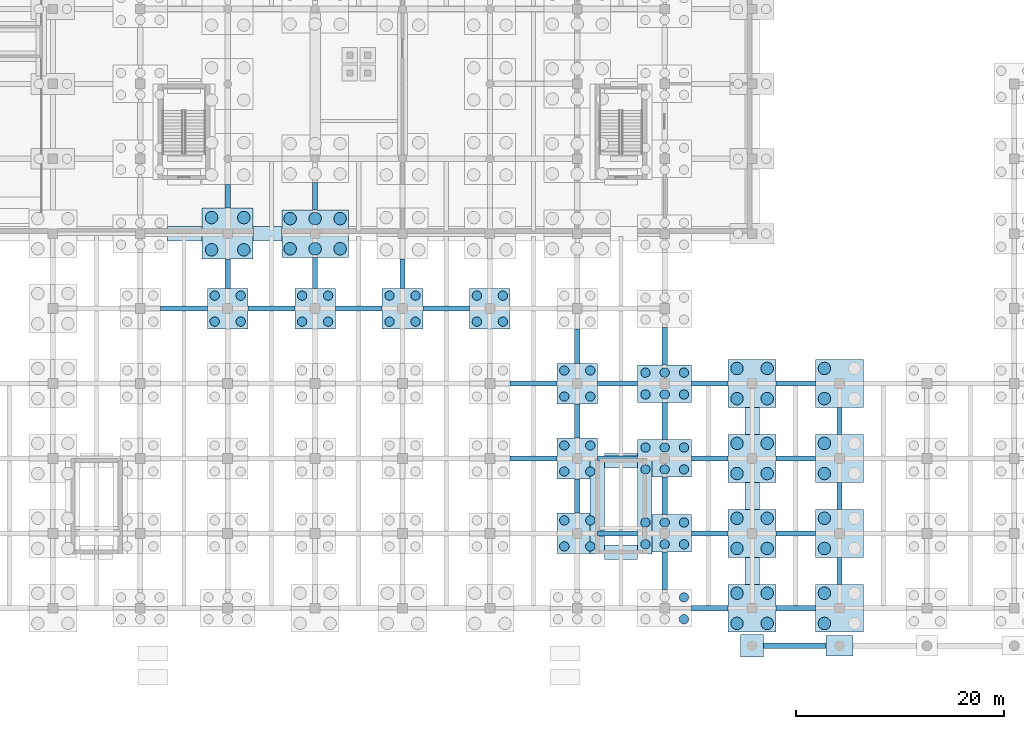
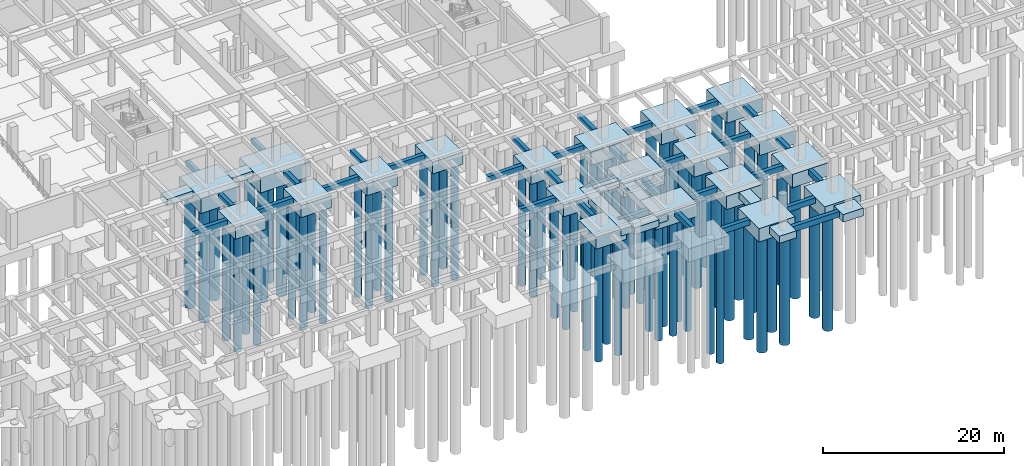
# One storey, part 4 of 26: 82 piles, 64 footings.
"""IFC4 building model written with IfcOpenShell, lengths in metres."""

from ifc_helpers import new_model, si_unit, direction, frame, origin, origin_2d, place, context, subcontext, project, spatial, rectangle, circle, extrude, material, material_profile, profile_set, type_object, element, save


model = new_model("IFC4")

# Units and contexts
model_context = context("Model", 3, precision=1e-05, world=origin(), true_north=direction((0.0, 1.0)))
body_context = subcontext(model_context, "Body", "Model", "MODEL_VIEW")
ifc_project = project(units=[si_unit("LENGTHUNIT", "METRE"), si_unit("AREAUNIT", "SQUARE_METRE"), si_unit("VOLUMEUNIT", "CUBIC_METRE"), si_unit("PLANEANGLEUNIT", "RADIAN"), si_unit("MASSUNIT", "GRAM", prefix="KILO")], contexts=[model_context])

# Site, building, storey
site_placement = place(None, origin())
site = spatial("IfcSite", under=ifc_project, at=site_placement, CompositionType="ELEMENT")
building_placement = place(site_placement, origin())
building = spatial("IfcBuilding", under=site, at=building_placement, Name="Kenerak Square Central Library", CompositionType="ELEMENT")
storey_placement = place(building_placement, frame((0.0, 0.0, -4.800048828125)))
storey = spatial("IfcBuildingStorey", under=building, at=storey_placement, Name="B1", CompositionType="ELEMENT", Elevation=-4.800048828125)

# Piles
ifc_material = material(Name="Concrete C40/50", Category="concrete")
ifc_material_profile_1 = material_profile(ifc_material, circle(Radius=0.60009765625, at=origin_2d()), Name="BP D1200")
ifc_profile_set_1 = profile_set([ifc_material_profile_1], Name="Concrete C40/50")
pile_type_1 = type_object("IfcPileType", Name="Bored Pile D1200 C40/50", PredefinedType="BORED", material=ifc_profile_set_1)
for number, where, z_axis, x_axis, name in (
    (1, (73.64990234375, 51.25, -1.89990234375), (0.0, 0.0, -1.0), (1.0, 0.0, 0.0), "Bored Pile BP-1200 0299"),
    (2, (76.75, 51.25, -1.89990234375), (0.0, 0.0, -1.0), (1.0, 0.0, 0.0), "Bored Pile BP-1200 0300"),
    (3, (73.64990234375, 54.35009765625, -1.89990234375), (0.0, 0.0, -1.0), (1.0, 0.0, 0.0), "Bored Pile BP-1200 0301"),
    (4, (76.75, 54.35009765625, -1.89990234375), (0.0, 0.0, -1.0), (1.0, 0.0, 0.0), "Bored Pile BP-1200 0302"),
    (5, (81.199951171875, 51.35009765625, -1.89990234375), (0.0, 0.0, -1.0), (1.0, 0.0, 0.0), "Bored Pile BP-1200 0361"),
    (6, (83.60009765625, 51.35009765625, -1.89990234375), (0.0, 0.0, -1.0), (1.0, 0.0, 0.0), "Bored Pile BP-1200 0362"),
    (7, (86.0, 51.35009765625, -1.89990234375), (0.0, 0.0, -1.0), (1.0, 0.0, 0.0), "Bored Pile BP-1200 0363"),
    (8, (81.199951171875, 54.25, -1.89990234375), (0.0, 0.0, -1.0), (1.0, 0.0, 0.0), "Bored Pile BP-1200 0364"),
    (9, (83.60009765625, 54.25, -1.89990234375), (0.0, 0.0, -1.0), (1.0, 0.0, 0.0), "Bored Pile BP-1200 0365"),
    (10, (86.0, 54.25, -1.89990234375), (0.0, 0.0, -1.0), (1.0, 0.0, 0.0), "Bored Pile BP-1200 0366"),
):
    element("IfcPile", number, at=place(storey_placement, frame(where, z_axis=z_axis, x_axis=x_axis)), inside=storey, type_object=pile_type_1, Name=name, PredefinedType="BORED", context=body_context, shape_type="SweptSolid", body=[
        extrude(circle(Radius=0.60009765625, at=origin_2d()), origin(), (0.0, 0.0, 1.0), 15.300048828125),
    ])
for number, where, z_axis, x_axis, name in (
    (11, (124.14990234375, 15.35009765625, -1.699951171875), (0.0, 0.0, -1.0), (1.0, 0.0, 0.0), "Bored Pile BP-1200 0687"),
    (12, (127.050048828125, 15.35009765625, -1.699951171875), (0.0, 0.0, -1.0), (1.0, 0.0, 0.0), "Bored Pile BP-1200 0688"),
    (13, (124.14990234375, 18.25, -1.699951171875), (0.0, 0.0, -1.0), (1.0, 0.0, 0.0), "Bored Pile BP-1200 0689"),
    (14, (127.050048828125, 18.25, -1.699951171875), (0.0, 0.0, -1.0), (1.0, 0.0, 0.0), "Bored Pile BP-1200 0690"),
    (15, (124.14990234375, 22.550048828125, -1.699951171875), (0.0, 0.0, -1.0), (1.0, 0.0, 0.0), "Bored Pile BP-1200 0691"),
    (16, (127.050048828125, 22.550048828125, -1.699951171875), (0.0, 0.0, -1.0), (1.0, 0.0, 0.0), "Bored Pile BP-1200 0692"),
    (17, (124.14990234375, 25.449951171875, -1.699951171875), (0.0, 0.0, -1.0), (1.0, 0.0, 0.0), "Bored Pile BP-1200 0693"),
    (18, (127.050048828125, 25.449951171875, -1.699951171875), (0.0, 0.0, -1.0), (1.0, 0.0, 0.0), "Bored Pile BP-1200 0694"),
    (19, (124.14990234375, 29.75, -1.699951171875), (0.0, 0.0, -1.0), (1.0, 0.0, 0.0), "Bored Pile BP-1200 0695"),
    (20, (127.050048828125, 29.75, -1.699951171875), (0.0, 0.0, -1.0), (1.0, 0.0, 0.0), "Bored Pile BP-1200 0696"),
    (21, (124.14990234375, 32.64990234375, -1.699951171875), (0.0, 0.0, -1.0), (1.0, 0.0, 0.0), "Bored Pile BP-1200 0697"),
    (22, (127.050048828125, 32.64990234375, -1.699951171875), (0.0, 0.0, -1.0), (1.0, 0.0, 0.0), "Bored Pile BP-1200 0698"),
    (23, (124.14990234375, 36.949951171875, -1.699951171875), (0.0, 0.0, -1.0), (1.0, 0.0, 0.0), "Bored Pile BP-1200 0699"),
    (24, (127.050048828125, 36.949951171875, -1.699951171875), (0.0, 0.0, -1.0), (1.0, 0.0, 0.0), "Bored Pile BP-1200 0700"),
    (25, (124.14990234375, 39.85009765625, -1.699951171875), (0.0, 0.0, -1.0), (1.0, 0.0, 0.0), "Bored Pile BP-1200 0701"),
    (26, (127.050048828125, 39.85009765625, -1.699951171875), (0.0, 0.0, -1.0), (1.0, 0.0, 0.0), "Bored Pile BP-1200 0702"),
    (27, (132.550048828125, 15.35009765625, -1.699951171875), (0.0, 0.0, -1.0), (1.0, 0.0, 0.0), "Bored Pile BP-1200 0729"),
    (28, (132.550048828125, 18.25, -1.699951171875), (0.0, 0.0, -1.0), (1.0, 0.0, 0.0), "Bored Pile BP-1200 0731"),
    (29, (132.550048828125, 22.550048828125, -1.699951171875), (0.0, 0.0, -1.0), (1.0, 0.0, 0.0), "Bored Pile BP-1200 0733"),
    (30, (132.550048828125, 25.449951171875, -1.699951171875), (0.0, 0.0, -1.0), (1.0, 0.0, 0.0), "Bored Pile BP-1200 0735"),
    (31, (132.550048828125, 29.75, -1.699951171875), (0.0, 0.0, -1.0), (1.0, 0.0, 0.0), "Bored Pile BP-1200 0737"),
    (32, (132.550048828125, 32.64990234375, -1.699951171875), (0.0, 0.0, -1.0), (1.0, 0.0, 0.0), "Bored Pile BP-1200 0739"),
    (33, (132.550048828125, 36.949951171875, -1.699951171875), (0.0, 0.0, -1.0), (1.0, 0.0, 0.0), "Bored Pile BP-1200 0741"),
    (34, (132.550048828125, 39.85009765625, -1.699951171875), (0.0, 0.0, -1.0), (1.0, 0.0, 0.0), "Bored Pile BP-1200 0743"),
):
    element("IfcPile", number, at=place(storey_placement, frame(where, z_axis=z_axis, x_axis=x_axis)), inside=storey, type_object=pile_type_1, Name=name, PredefinedType="BORED", context=body_context, shape_type="SweptSolid", body=[
        extrude(circle(Radius=0.60009765625, at=origin_2d()), origin(), (0.0, 0.0, 1.0), 15.5),
    ])
ifc_material_profile_2 = material_profile(ifc_material, circle(Radius=0.449951171875, at=origin_2d()), Name="BP D900")
ifc_profile_set_2 = profile_set([ifc_material_profile_2], Name="Concrete C40/50")
pile_type_2 = type_object("IfcPileType", Name="Bored Pile D900 C40/50", PredefinedType="BORED", material=ifc_profile_set_2)
for number, where, z_axis, x_axis, name in (
    (35, (73.949951171875, 44.35009765625, -1.5), (0.0, 0.0, -1.0), (1.0, 0.0, 0.0), "Bored Pile BP-900 0295"),
    (36, (76.449951171875, 44.35009765625, -1.5), (0.0, 0.0, -1.0), (1.0, 0.0, 0.0), "Bored Pile BP-900 0296"),
    (37, (73.949951171875, 46.85009765625, -1.5), (0.0, 0.0, -1.0), (1.0, 0.0, 0.0), "Bored Pile BP-900 0297"),
    (38, (76.449951171875, 46.85009765625, -1.5), (0.0, 0.0, -1.0), (1.0, 0.0, 0.0), "Bored Pile BP-900 0298"),
    (39, (82.35009765625, 44.35009765625, -1.5), (0.0, 0.0, -1.0), (1.0, 0.0, 0.0), "Bored Pile BP-900 0357"),
    (40, (84.85009765625, 44.35009765625, -1.5), (0.0, 0.0, -1.0), (1.0, 0.0, 0.0), "Bored Pile BP-900 0358"),
    (41, (82.35009765625, 46.85009765625, -1.5), (0.0, 0.0, -1.0), (1.0, 0.0, 0.0), "Bored Pile BP-900 0359"),
    (42, (84.85009765625, 46.85009765625, -1.5), (0.0, 0.0, -1.0), (1.0, 0.0, 0.0), "Bored Pile BP-900 0360"),
    (43, (90.75, 44.35009765625, -1.5), (0.0, 0.0, -1.0), (1.0, 0.0, 0.0), "Bored Pile BP-900 0429"),
    (44, (93.25, 44.35009765625, -1.5), (0.0, 0.0, -1.0), (1.0, 0.0, 0.0), "Bored Pile BP-900 0430"),
    (45, (90.75, 46.85009765625, -1.5), (0.0, 0.0, -1.0), (1.0, 0.0, 0.0), "Bored Pile BP-900 0431"),
    (46, (93.25, 46.85009765625, -1.5), (0.0, 0.0, -1.0), (1.0, 0.0, 0.0), "Bored Pile BP-900 0432"),
    (47, (99.14990234375, 44.35009765625, -1.5), (0.0, 0.0, -1.0), (1.0, 0.0, 0.0), "Bored Pile BP-900 0485"),
    (48, (101.64990234375, 44.35009765625, -1.5), (0.0, 0.0, -1.0), (1.0, 0.0, 0.0), "Bored Pile BP-900 0486"),
    (49, (99.14990234375, 46.85009765625, -1.5), (0.0, 0.0, -1.0), (1.0, 0.0, 0.0), "Bored Pile BP-900 0487"),
    (50, (101.64990234375, 46.85009765625, -1.5), (0.0, 0.0, -1.0), (1.0, 0.0, 0.0), "Bored Pile BP-900 0488"),
    (51, (107.550048828125, 22.75, -1.5), (0.0, 0.0, -1.0), (1.0, 0.0, 0.0), "Bored Pile BP-900 0535"),
    (52, (110.050048828125, 22.75, -1.5), (0.0, 0.0, -1.0), (1.0, 0.0, 0.0), "Bored Pile BP-900 0536"),
    (53, (107.550048828125, 25.25, -1.5), (0.0, 0.0, -1.0), (1.0, 0.0, 0.0), "Bored Pile BP-900 0537"),
    (54, (110.050048828125, 25.25, -1.5), (0.0, 0.0, -1.0), (1.0, 0.0, 0.0), "Bored Pile BP-900 0538"),
    (55, (107.550048828125, 29.949951171875, -1.5), (0.0, 0.0, -1.0), (1.0, 0.0, 0.0), "Bored Pile BP-900 0539"),
    (56, (110.050048828125, 29.949951171875, -1.5), (0.0, 0.0, -1.0), (1.0, 0.0, 0.0), "Bored Pile BP-900 0540"),
    (57, (107.550048828125, 32.449951171875, -1.5), (0.0, 0.0, -1.0), (1.0, 0.0, 0.0), "Bored Pile BP-900 0541"),
    (58, (110.050048828125, 32.449951171875, -1.5), (0.0, 0.0, -1.0), (1.0, 0.0, 0.0), "Bored Pile BP-900 0542"),
    (59, (107.550048828125, 37.14990234375, -1.5), (0.0, 0.0, -1.0), (1.0, 0.0, 0.0), "Bored Pile BP-900 0543"),
    (60, (110.050048828125, 37.14990234375, -1.5), (0.0, 0.0, -1.0), (1.0, 0.0, 0.0), "Bored Pile BP-900 0544"),
    (61, (107.550048828125, 39.64990234375, -1.5), (0.0, 0.0, -1.0), (1.0, 0.0, 0.0), "Bored Pile BP-900 0545"),
    (62, (110.050048828125, 39.64990234375, -1.5), (0.0, 0.0, -1.0), (1.0, 0.0, 0.0), "Bored Pile BP-900 0546"),
):
    element("IfcPile", number, at=place(storey_placement, frame(where, z_axis=z_axis, x_axis=x_axis)), inside=storey, type_object=pile_type_2, Name=name, PredefinedType="BORED", context=body_context, shape_type="SweptSolid", body=[
        extrude(circle(Radius=0.449951171875, at=origin_2d()), origin(), (0.0, 0.0, 1.0), 15.699951171875),
    ])
for number, where, z_axis, x_axis, name in (
    (63, (119.050048828125, 15.75, -1.699951171875), (0.0, 0.0, -1.0), (1.0, 0.0, 0.0), "Bored Pile BP-900 0613"),
    (64, (119.050048828125, 17.85009765625, -1.699951171875), (0.0, 0.0, -1.0), (1.0, 0.0, 0.0), "Bored Pile BP-900 0616"),
    (65, (115.35009765625, 22.949951171875, -1.699951171875), (0.0, 0.0, -1.0), (1.0, 0.0, 0.0), "Bored Pile BP-900 0617"),
    (66, (117.199951171875, 22.949951171875, -1.699951171875), (0.0, 0.0, -1.0), (1.0, 0.0, 0.0), "Bored Pile BP-900 0618"),
    (67, (119.050048828125, 22.949951171875, -1.699951171875), (0.0, 0.0, -1.0), (1.0, 0.0, 0.0), "Bored Pile BP-900 0619"),
    (68, (115.35009765625, 25.050048828125, -1.699951171875), (0.0, 0.0, -1.0), (1.0, 0.0, 0.0), "Bored Pile BP-900 0620"),
    (69, (117.199951171875, 25.050048828125, -1.699951171875), (0.0, 0.0, -1.0), (1.0, 0.0, 0.0), "Bored Pile BP-900 0621"),
    (70, (119.050048828125, 25.050048828125, -1.699951171875), (0.0, 0.0, -1.0), (1.0, 0.0, 0.0), "Bored Pile BP-900 0622"),
    (71, (115.35009765625, 30.14990234375, -1.699951171875), (0.0, 0.0, -1.0), (1.0, 0.0, 0.0), "Bored Pile BP-900 0623"),
    (72, (117.199951171875, 30.14990234375, -1.699951171875), (0.0, 0.0, -1.0), (1.0, 0.0, 0.0), "Bored Pile BP-900 0624"),
    (73, (119.050048828125, 30.14990234375, -1.699951171875), (0.0, 0.0, -1.0), (1.0, 0.0, 0.0), "Bored Pile BP-900 0625"),
    (74, (115.35009765625, 32.25, -1.699951171875), (0.0, 0.0, -1.0), (1.0, 0.0, 0.0), "Bored Pile BP-900 0626"),
    (75, (117.199951171875, 32.25, -1.699951171875), (0.0, 0.0, -1.0), (1.0, 0.0, 0.0), "Bored Pile BP-900 0627"),
    (76, (119.050048828125, 32.25, -1.699951171875), (0.0, 0.0, -1.0), (1.0, 0.0, 0.0), "Bored Pile BP-900 0628"),
    (77, (115.35009765625, 37.35009765625, -1.699951171875), (0.0, 0.0, -1.0), (1.0, 0.0, 0.0), "Bored Pile BP-900 0629"),
    (78, (117.199951171875, 37.35009765625, -1.699951171875), (0.0, 0.0, -1.0), (1.0, 0.0, 0.0), "Bored Pile BP-900 0630"),
    (79, (119.050048828125, 37.35009765625, -1.699951171875), (0.0, 0.0, -1.0), (1.0, 0.0, 0.0), "Bored Pile BP-900 0631"),
    (80, (115.35009765625, 39.449951171875, -1.699951171875), (0.0, 0.0, -1.0), (1.0, 0.0, 0.0), "Bored Pile BP-900 0632"),
    (81, (117.199951171875, 39.449951171875, -1.699951171875), (0.0, 0.0, -1.0), (1.0, 0.0, 0.0), "Bored Pile BP-900 0633"),
    (82, (119.050048828125, 39.449951171875, -1.699951171875), (0.0, 0.0, -1.0), (1.0, 0.0, 0.0), "Bored Pile BP-900 0634"),
):
    element("IfcPile", number, at=place(storey_placement, frame(where, z_axis=z_axis, x_axis=x_axis)), inside=storey, type_object=pile_type_2, Name=name, PredefinedType="BORED", context=body_context, shape_type="SweptSolid", body=[
        extrude(circle(Radius=0.449951171875, at=origin_2d()), origin(), (0.0, 0.0, 1.0), 15.5),
    ])

# Footings
footing_type_1 = type_object("IfcFootingType", Name="Colonnade Pad Footing PF-03 2200x2200x950", PredefinedType="PAD_FOOTING", material=ifc_material)
footing_1_placement = place(storey_placement, frame((125.60009765625, 13.199951171875, -0.94970703125), z_axis=(0.0, 0.0, 1.0), x_axis=(1.0, 0.0, 0.0)))
element("IfcFooting", 83, at=footing_1_placement, inside=storey, type_object=footing_type_1, Name="Pad Footing PF-03 007", PredefinedType="PAD_FOOTING", context=body_context, shape_type="SweptSolid", body=[
    extrude(rectangle(XDim=2.199951171875, YDim=2.199951171875, at=origin_2d()), origin(), (0.0, 0.0, 1.0), 0.949951171875),
])
footing_type_2 = type_object("IfcFootingType", Name="Colonnade Pad Footing PF-04 2600x2000x1050", PredefinedType="PAD_FOOTING", material=ifc_material)
footing_2_placement = place(storey_placement, frame((134.0, 13.199951171875, -1.0498046875), z_axis=(0.0, 0.0, 1.0), x_axis=(1.0, 0.0, 0.0)))
element("IfcFooting", 84, at=footing_2_placement, inside=storey, type_object=footing_type_2, Name="Pad Footing PF-04 008", PredefinedType="PAD_FOOTING", context=body_context, shape_type="SweptSolid", body=[
    extrude(rectangle(XDim=2.60009765625, YDim=2.0, at=origin_2d()), origin(), (0.0, 0.0, 1.0), 1.050048828125),
])
footing_type_3 = type_object("IfcFootingType", Name="Ground Tie Beam GB-01 500x750", PredefinedType="FOOTING_BEAM", material=ifc_material)
for number, where, z_axis, x_axis, name in (
    (85, (71.0, 45.60009765625, -0.75), (0.0, 0.0, 1.0), (1.0, 0.0, 0.0), "Ground Tie Beam 087"),
    (86, (79.39990234375, 45.60009765625, -0.75), (0.0, 0.0, 1.0), (1.0, 0.0, 0.0), "Ground Tie Beam 113"),
):
    element("IfcFooting", number, at=place(storey_placement, frame(where, z_axis=z_axis, x_axis=x_axis)), inside=storey, type_object=footing_type_3, Name=name, PredefinedType="FOOTING_BEAM", context=body_context, shape_type="SweptSolid", body=[
        extrude(rectangle(XDim=4.5, YDim=0.5, at=origin_2d()), origin(), (0.0, 0.0, 1.0), 0.75),
    ])
footing_3_placement = place(storey_placement, frame((75.199951171875, 48.949951171875, -0.75), z_axis=(0.0, 0.0, 1.0), x_axis=(1.0, 0.0, 0.0)))
element("IfcFooting", 87, at=footing_3_placement, inside=storey, type_object=footing_type_3, Name="Ground Tie Beam 114", PredefinedType="FOOTING_BEAM", context=body_context, shape_type="SweptSolid", body=[
    extrude(rectangle(XDim=0.5, YDim=2.800048828125, at=origin_2d()), origin(), (0.0, 0.0, 1.0), 0.75),
])
footing_4_placement = place(storey_placement, frame((75.199951171875, 56.39990234375, -0.75), z_axis=(0.0, 0.0, 1.0), x_axis=(1.0, 0.0, 0.0)))
element("IfcFooting", 88, at=footing_4_placement, inside=storey, type_object=footing_type_3, Name="Ground Tie Beam 115", PredefinedType="FOOTING_BEAM", context=body_context, shape_type="SweptSolid", body=[
    extrude(rectangle(XDim=0.5, YDim=2.300048828125, at=origin_2d()), origin(), (0.0, 0.0, 1.0), 0.75),
])
footing_5_placement = place(storey_placement, frame((87.800048828125, 45.60009765625, -0.75), z_axis=(0.0, 0.0, 1.0), x_axis=(1.0, 0.0, 0.0)))
element("IfcFooting", 89, at=footing_5_placement, inside=storey, type_object=footing_type_3, Name="Ground Tie Beam 138", PredefinedType="FOOTING_BEAM", context=body_context, shape_type="SweptSolid", body=[
    extrude(rectangle(XDim=4.5, YDim=0.5, at=origin_2d()), origin(), (0.0, 0.0, 1.0), 0.75),
])
footing_6_placement = place(storey_placement, frame((83.60009765625, 49.02490234375, -0.75), z_axis=(0.0, 0.0, 1.0), x_axis=(1.0, 0.0, 0.0)))
element("IfcFooting", 90, at=footing_6_placement, inside=storey, type_object=footing_type_3, Name="Ground Tie Beam 139", PredefinedType="FOOTING_BEAM", context=body_context, shape_type="SweptSolid", body=[
    extrude(rectangle(XDim=0.5, YDim=2.949951171875, at=origin_2d()), origin(), (0.0, 0.0, 1.0), 0.75),
])
footing_7_placement = place(storey_placement, frame((83.60009765625, 56.39990234375, -0.75), z_axis=(0.0, 0.0, 1.0), x_axis=(1.0, 0.0, 0.0)))
element("IfcFooting", 91, at=footing_7_placement, inside=storey, type_object=footing_type_3, Name="Ground Tie Beam 140", PredefinedType="FOOTING_BEAM", context=body_context, shape_type="SweptSolid", body=[
    extrude(rectangle(XDim=0.5, YDim=2.60009765625, at=origin_2d()), origin(), (0.0, 0.0, 1.0), 0.75),
])
footing_8_placement = place(storey_placement, frame((96.199951171875, 45.60009765625, -0.75), z_axis=(0.0, 0.0, 1.0), x_axis=(1.0, 0.0, 0.0)))
element("IfcFooting", 92, at=footing_8_placement, inside=storey, type_object=footing_type_3, Name="Ground Tie Beam 161", PredefinedType="FOOTING_BEAM", context=body_context, shape_type="SweptSolid", body=[
    extrude(rectangle(XDim=4.5, YDim=0.5, at=origin_2d()), origin(), (0.0, 0.0, 1.0), 0.75),
])
footing_9_placement = place(storey_placement, frame((92.0, 48.949951171875, -0.75), z_axis=(0.0, 0.0, 1.0), x_axis=(1.0, 0.0, 0.0)))
element("IfcFooting", 93, at=footing_9_placement, inside=storey, type_object=footing_type_3, Name="Ground Tie Beam 162", PredefinedType="FOOTING_BEAM", context=body_context, shape_type="SweptSolid", body=[
    extrude(rectangle(XDim=0.5, YDim=2.800048828125, at=origin_2d()), origin(), (0.0, 0.0, 1.0), 0.75),
])
for number, where, z_axis, x_axis, name in (
    (94, (104.60009765625, 31.199951171875, -0.75), (0.0, 0.0, 1.0), (1.0, 0.0, 0.0), "Ground Tie Beam 180"),
    (95, (104.60009765625, 38.39990234375, -0.75), (0.0, 0.0, 1.0), (1.0, 0.0, 0.0), "Ground Tie Beam 182"),
):
    element("IfcFooting", number, at=place(storey_placement, frame(where, z_axis=z_axis, x_axis=x_axis)), inside=storey, type_object=footing_type_3, Name=name, PredefinedType="FOOTING_BEAM", context=body_context, shape_type="SweptSolid", body=[
        extrude(rectangle(XDim=4.5, YDim=0.5, at=origin_2d()), origin(), (0.0, 0.0, 1.0), 0.75),
    ])
footing_10_placement = place(storey_placement, frame((112.675048828125, 24.0, -0.75), z_axis=(0.0, 0.0, 1.0), x_axis=(1.0, 0.0, 0.0)))
element("IfcFooting", 96, at=footing_10_placement, inside=storey, type_object=footing_type_3, Name="Ground Tie Beam 204", PredefinedType="FOOTING_BEAM", context=body_context, shape_type="SweptSolid", body=[
    extrude(rectangle(XDim=3.85009765625, YDim=0.5, at=origin_2d()), origin(), (0.0, 0.0, 1.0), 0.75),
])
footing_11_placement = place(storey_placement, frame((108.800048828125, 27.60009765625, -0.75), z_axis=(0.0, 0.0, 1.0), x_axis=(1.0, 0.0, 0.0)))
element("IfcFooting", 97, at=footing_11_placement, inside=storey, type_object=footing_type_3, Name="Ground Tie Beam 205", PredefinedType="FOOTING_BEAM", context=body_context, shape_type="SweptSolid", body=[
    extrude(rectangle(XDim=0.5, YDim=3.300048828125, at=origin_2d()), origin(), (0.0, 0.0, 1.0), 0.75),
])
footing_12_placement = place(storey_placement, frame((112.675048828125, 31.199951171875, -0.75), z_axis=(0.0, 0.0, 1.0), x_axis=(1.0, 0.0, 0.0)))
element("IfcFooting", 98, at=footing_12_placement, inside=storey, type_object=footing_type_3, Name="Ground Tie Beam 206", PredefinedType="FOOTING_BEAM", context=body_context, shape_type="SweptSolid", body=[
    extrude(rectangle(XDim=3.85009765625, YDim=0.5, at=origin_2d()), origin(), (0.0, 0.0, 1.0), 0.75),
])
footing_13_placement = place(storey_placement, frame((108.800048828125, 34.800048828125, -0.75), z_axis=(0.0, 0.0, 1.0), x_axis=(1.0, 0.0, 0.0)))
element("IfcFooting", 99, at=footing_13_placement, inside=storey, type_object=footing_type_3, Name="Ground Tie Beam 207", PredefinedType="FOOTING_BEAM", context=body_context, shape_type="SweptSolid", body=[
    extrude(rectangle(XDim=0.5, YDim=3.300048828125, at=origin_2d()), origin(), (0.0, 0.0, 1.0), 0.75),
])
footing_14_placement = place(storey_placement, frame((112.675048828125, 38.39990234375, -0.75), z_axis=(0.0, 0.0, 1.0), x_axis=(1.0, 0.0, 0.0)))
element("IfcFooting", 100, at=footing_14_placement, inside=storey, type_object=footing_type_3, Name="Ground Tie Beam 208", PredefinedType="FOOTING_BEAM", context=body_context, shape_type="SweptSolid", body=[
    extrude(rectangle(XDim=3.85009765625, YDim=0.5, at=origin_2d()), origin(), (0.0, 0.0, 1.0), 0.75),
])
footing_15_placement = place(storey_placement, frame((108.800048828125, 42.0, -0.75), z_axis=(0.0, 0.0, 1.0), x_axis=(1.0, 0.0, 0.0)))
element("IfcFooting", 101, at=footing_15_placement, inside=storey, type_object=footing_type_3, Name="Ground Tie Beam 209", PredefinedType="FOOTING_BEAM", context=body_context, shape_type="SweptSolid", body=[
    extrude(rectangle(XDim=0.5, YDim=3.300048828125, at=origin_2d()), origin(), (0.0, 0.0, 1.0), 0.75),
])
footing_16_placement = place(storey_placement, frame((121.550048828125, 16.800048828125, -0.75), z_axis=(0.0, 0.0, 1.0), x_axis=(1.0, 0.0, 0.0)))
element("IfcFooting", 102, at=footing_16_placement, inside=storey, type_object=footing_type_3, Name="Ground Tie Beam 227", PredefinedType="FOOTING_BEAM", context=body_context, shape_type="SweptSolid", body=[
    extrude(rectangle(XDim=3.5, YDim=0.5, at=origin_2d()), origin(), (0.0, 0.0, 1.0), 0.75),
])
footing_17_placement = place(storey_placement, frame((117.199951171875, 20.39990234375, -0.75), z_axis=(0.0, 0.0, 1.0), x_axis=(1.0, 0.0, 0.0)))
element("IfcFooting", 103, at=footing_17_placement, inside=storey, type_object=footing_type_3, Name="Ground Tie Beam 228", PredefinedType="FOOTING_BEAM", context=body_context, shape_type="SweptSolid", body=[
    extrude(rectangle(XDim=0.5, YDim=3.60009765625, at=origin_2d()), origin(), (0.0, 0.0, 1.0), 0.75),
])
footing_18_placement = place(storey_placement, frame((121.550048828125, 24.0, -0.75), z_axis=(0.0, 0.0, 1.0), x_axis=(1.0, 0.0, 0.0)))
element("IfcFooting", 104, at=footing_18_placement, inside=storey, type_object=footing_type_3, Name="Ground Tie Beam 229", PredefinedType="FOOTING_BEAM", context=body_context, shape_type="SweptSolid", body=[
    extrude(rectangle(XDim=3.5, YDim=0.5, at=origin_2d()), origin(), (0.0, 0.0, 1.0), 0.75),
])
footing_19_placement = place(storey_placement, frame((117.199951171875, 27.60009765625, -0.75), z_axis=(0.0, 0.0, 1.0), x_axis=(1.0, 0.0, 0.0)))
element("IfcFooting", 105, at=footing_19_placement, inside=storey, type_object=footing_type_3, Name="Ground Tie Beam 230", PredefinedType="FOOTING_BEAM", context=body_context, shape_type="SweptSolid", body=[
    extrude(rectangle(XDim=0.5, YDim=3.60009765625, at=origin_2d()), origin(), (0.0, 0.0, 1.0), 0.75),
])
footing_20_placement = place(storey_placement, frame((121.550048828125, 31.199951171875, -0.75), z_axis=(0.0, 0.0, 1.0), x_axis=(1.0, 0.0, 0.0)))
element("IfcFooting", 106, at=footing_20_placement, inside=storey, type_object=footing_type_3, Name="Ground Tie Beam 231", PredefinedType="FOOTING_BEAM", context=body_context, shape_type="SweptSolid", body=[
    extrude(rectangle(XDim=3.5, YDim=0.5, at=origin_2d()), origin(), (0.0, 0.0, 1.0), 0.75),
])
footing_21_placement = place(storey_placement, frame((117.199951171875, 34.800048828125, -0.75), z_axis=(0.0, 0.0, 1.0), x_axis=(1.0, 0.0, 0.0)))
element("IfcFooting", 107, at=footing_21_placement, inside=storey, type_object=footing_type_3, Name="Ground Tie Beam 232", PredefinedType="FOOTING_BEAM", context=body_context, shape_type="SweptSolid", body=[
    extrude(rectangle(XDim=0.5, YDim=3.60009765625, at=origin_2d()), origin(), (0.0, 0.0, 1.0), 0.75),
])
footing_22_placement = place(storey_placement, frame((121.550048828125, 38.39990234375, -0.75), z_axis=(0.0, 0.0, 1.0), x_axis=(1.0, 0.0, 0.0)))
element("IfcFooting", 108, at=footing_22_placement, inside=storey, type_object=footing_type_3, Name="Ground Tie Beam 233", PredefinedType="FOOTING_BEAM", context=body_context, shape_type="SweptSolid", body=[
    extrude(rectangle(XDim=3.5, YDim=0.5, at=origin_2d()), origin(), (0.0, 0.0, 1.0), 0.75),
])
footing_23_placement = place(storey_placement, frame((117.199951171875, 42.0, -0.75), z_axis=(0.0, 0.0, 1.0), x_axis=(1.0, 0.0, 0.0)))
element("IfcFooting", 109, at=footing_23_placement, inside=storey, type_object=footing_type_3, Name="Ground Tie Beam 234", PredefinedType="FOOTING_BEAM", context=body_context, shape_type="SweptSolid", body=[
    extrude(rectangle(XDim=0.5, YDim=3.60009765625, at=origin_2d()), origin(), (0.0, 0.0, 1.0), 0.75),
])
footing_24_placement = place(storey_placement, frame((129.699951171875, 13.199951171875, -0.75), z_axis=(0.0, 0.0, 1.0), x_axis=(1.0, 0.0, 0.0)))
element("IfcFooting", 110, at=footing_24_placement, inside=storey, type_object=footing_type_3, Name="Ground Tie Beam 251", PredefinedType="FOOTING_BEAM", context=body_context, shape_type="SweptSolid", body=[
    extrude(rectangle(XDim=6.0, YDim=0.5, at=origin_2d()), origin(), (0.0, 0.0, 1.0), 0.75),
])
for number, where, z_axis, x_axis, name in (
    (111, (129.800048828125, 16.800048828125, -0.75), (0.0, 0.0, 1.0), (1.0, 0.0, 0.0), "Ground Tie Beam 252"),
    (112, (129.800048828125, 24.0, -0.75), (0.0, 0.0, 1.0), (1.0, 0.0, 0.0), "Ground Tie Beam 253"),
    (113, (129.800048828125, 31.199951171875, -0.75), (0.0, 0.0, 1.0), (1.0, 0.0, 0.0), "Ground Tie Beam 254"),
    (114, (129.800048828125, 38.39990234375, -0.75), (0.0, 0.0, 1.0), (1.0, 0.0, 0.0), "Ground Tie Beam 255"),
):
    element("IfcFooting", number, at=place(storey_placement, frame(where, z_axis=z_axis, x_axis=x_axis)), inside=storey, type_object=footing_type_3, Name=name, PredefinedType="FOOTING_BEAM", context=body_context, shape_type="SweptSolid", body=[
        extrude(rectangle(XDim=3.800048828125, YDim=0.5, at=origin_2d()), origin(), (0.0, 0.0, 1.0), 0.75),
    ])
for number, where, z_axis, x_axis, name in (
    (115, (134.0, 20.39990234375, -0.75), (0.0, 0.0, 1.0), (1.0, 0.0, 0.0), "Ground Tie Beam 261"),
    (116, (134.0, 27.60009765625, -0.75), (0.0, 0.0, 1.0), (1.0, 0.0, 0.0), "Ground Tie Beam 263"),
    (117, (134.0, 34.800048828125, -0.75), (0.0, 0.0, 1.0), (1.0, 0.0, 0.0), "Ground Tie Beam 265"),
):
    element("IfcFooting", number, at=place(storey_placement, frame(where, z_axis=z_axis, x_axis=x_axis)), inside=storey, type_object=footing_type_3, Name=name, PredefinedType="FOOTING_BEAM", context=body_context, shape_type="SweptSolid", body=[
        extrude(rectangle(XDim=0.5, YDim=2.60009765625, at=origin_2d()), origin(), (0.0, 0.0, 1.0), 0.75),
    ])
footing_type_4 = type_object("IfcFootingType", Name="Pile Cap PC-03 3900x3900x1600", PredefinedType="PILE_CAP", material=ifc_material)
for number, where, z_axis, x_axis, name in (
    (118, (75.199951171875, 45.60009765625, -1.60009765625), (0.0, 0.0, 1.0), (1.0, 0.0, 0.0), "Pile Cap PC-03 075"),
    (119, (83.60009765625, 45.60009765625, -1.60009765625), (0.0, 0.0, 1.0), (1.0, 0.0, 0.0), "Pile Cap PC-03 090"),
    (120, (92.0, 45.60009765625, -1.60009765625), (0.0, 0.0, 1.0), (1.0, 0.0, 0.0), "Pile Cap PC-03 104"),
    (121, (100.39990234375, 45.60009765625, -1.60009765625), (0.0, 0.0, 1.0), (1.0, 0.0, 0.0), "Pile Cap PC-03 118"),
    (122, (108.800048828125, 24.0, -1.60009765625), (0.0, 0.0, 1.0), (1.0, 0.0, 0.0), "Pile Cap PC-03 130"),
    (123, (108.800048828125, 31.199951171875, -1.60009765625), (0.0, 0.0, 1.0), (1.0, 0.0, 0.0), "Pile Cap PC-03 131"),
    (124, (108.800048828125, 38.39990234375, -1.60009765625), (0.0, 0.0, 1.0), (1.0, 0.0, 0.0), "Pile Cap PC-03 132"),
):
    element("IfcFooting", number, at=place(storey_placement, frame(where, z_axis=z_axis, x_axis=x_axis)), inside=storey, type_object=footing_type_4, Name=name, PredefinedType="PILE_CAP", context=body_context, shape_type="SweptSolid", body=[
        extrude(rectangle(XDim=3.89990234375, YDim=3.89990234375, at=origin_2d()), origin(), (0.0, 0.0, 1.0), 1.60009765625),
    ])
footing_type_5 = type_object("IfcFootingType", Name="Pile Cap PC-04 4600x4600x1800", PredefinedType="PILE_CAP", material=ifc_material)
for number, where, z_axis, x_axis, name in (
    (125, (125.60009765625, 16.800048828125, -1.7998046875), (0.0, 0.0, 1.0), (1.0, 0.0, 0.0), "Pile Cap PC-04 158"),
    (126, (125.60009765625, 24.0, -1.7998046875), (0.0, 0.0, 1.0), (1.0, 0.0, 0.0), "Pile Cap PC-04 159"),
    (127, (125.60009765625, 31.199951171875, -1.7998046875), (0.0, 0.0, 1.0), (1.0, 0.0, 0.0), "Pile Cap PC-04 160"),
    (128, (125.60009765625, 38.39990234375, -1.7998046875), (0.0, 0.0, 1.0), (1.0, 0.0, 0.0), "Pile Cap PC-04 161"),
    (129, (134.0, 16.800048828125, -1.7998046875), (0.0, 0.0, 1.0), (1.0, 0.0, 0.0), "Pile Cap PC-04 171"),
    (130, (134.0, 24.0, -1.7998046875), (0.0, 0.0, 1.0), (1.0, 0.0, 0.0), "Pile Cap PC-04 172"),
    (131, (134.0, 31.199951171875, -1.7998046875), (0.0, 0.0, 1.0), (1.0, 0.0, 0.0), "Pile Cap PC-04 173"),
    (132, (134.0, 38.39990234375, -1.7998046875), (0.0, 0.0, 1.0), (1.0, 0.0, 0.0), "Pile Cap PC-04 174"),
):
    element("IfcFooting", number, at=place(storey_placement, frame(where, z_axis=z_axis, x_axis=x_axis)), inside=storey, type_object=footing_type_5, Name=name, PredefinedType="PILE_CAP", context=body_context, shape_type="SweptSolid", body=[
        extrude(rectangle(XDim=4.60009765625, YDim=4.60009765625, at=origin_2d()), origin(), (0.0, 0.0, 1.0), 1.800048828125),
    ])
footing_type_6 = type_object("IfcFootingType", Name="Pile Cap PC-05 5200x3600x1800", PredefinedType="PILE_CAP", material=ifc_material)
for number, where, z_axis, x_axis, name in (
    (133, (117.199951171875, 24.0, -1.7998046875), (0.0, 0.0, 1.0), (1.0, 0.0, 0.0), "Pile Cap PC-05 145"),
    (134, (117.199951171875, 31.199951171875, -1.7998046875), (0.0, 0.0, 1.0), (1.0, 0.0, 0.0), "Pile Cap PC-05 146"),
    (135, (117.199951171875, 38.39990234375, -1.7998046875), (0.0, 0.0, 1.0), (1.0, 0.0, 0.0), "Pile Cap PC-05 147"),
):
    element("IfcFooting", number, at=place(storey_placement, frame(where, z_axis=z_axis, x_axis=x_axis)), inside=storey, type_object=footing_type_6, Name=name, PredefinedType="PILE_CAP", context=body_context, shape_type="SweptSolid", body=[
        extrude(rectangle(XDim=5.199951171875, YDim=3.60009765625, at=origin_2d()), origin(), (0.0, 0.0, 1.0), 1.800048828125),
    ])
footing_type_7 = type_object("IfcFootingType", Name="Pile Cap PC-07 6400x4600x2000", PredefinedType="PILE_CAP", material=ifc_material)
footing_25_placement = place(storey_placement, frame((83.60009765625, 52.800048828125, -2.0), z_axis=(0.0, 0.0, 1.0), x_axis=(1.0, 0.0, 0.0)))
element("IfcFooting", 136, at=footing_25_placement, inside=storey, type_object=footing_type_7, Name="Pile Cap PC-07 091", PredefinedType="PILE_CAP", context=body_context, shape_type="SweptSolid", body=[
    extrude(rectangle(XDim=6.39990234375, YDim=4.60009765625, at=origin_2d()), origin(), (0.0, 0.0, 1.0), 2.0),
])
footing_type_8 = type_object("IfcFootingType", Name="Pile Cap PC-08 4900x4900x2000", PredefinedType="PILE_CAP", material=ifc_material)
footing_26_placement = place(storey_placement, frame((75.199951171875, 52.800048828125, -2.0), z_axis=(0.0, 0.0, 1.0), x_axis=(1.0, 0.0, 0.0)))
element("IfcFooting", 137, at=footing_26_placement, inside=storey, type_object=footing_type_8, Name="Pile Cap PC-08 076", PredefinedType="PILE_CAP", context=body_context, shape_type="SweptSolid", body=[
    extrude(rectangle(XDim=4.89990234375, YDim=4.89990234375, at=origin_2d()), origin(), (0.0, 0.0, 1.0), 2.0),
])
footing_type_9 = type_object("IfcFootingType", Name="Wall Strip Footing SF-01 1400x900", PredefinedType="STRIP_FOOTING", material=ifc_material)
footing_27_placement = place(storey_placement, frame((71.074951171875, 52.800048828125, -0.89990234375), z_axis=(0.0, 0.0, 1.0), x_axis=(1.0, 0.0, 0.0)))
element("IfcFooting", 138, at=footing_27_placement, inside=storey, type_object=footing_type_9, Name="Strip Footing SF-01 017", PredefinedType="STRIP_FOOTING", context=body_context, shape_type="SweptSolid", body=[
    extrude(rectangle(XDim=3.35009765625, YDim=1.39990234375, at=origin_2d()), origin(), (0.0, 0.0, 1.0), 0.89990234375),
])
footing_28_placement = place(storey_placement, frame((79.02490234375, 52.800048828125, -0.89990234375), z_axis=(0.0, 0.0, 1.0), x_axis=(1.0, 0.0, 0.0)))
element("IfcFooting", 139, at=footing_28_placement, inside=storey, type_object=footing_type_9, Name="Strip Footing SF-01 019", PredefinedType="STRIP_FOOTING", context=body_context, shape_type="SweptSolid", body=[
    extrude(rectangle(XDim=2.75, YDim=1.39990234375, at=origin_2d()), origin(), (0.0, 0.0, 1.0), 0.89990234375),
])
for number, where, z_axis, x_axis, name in (
    (140, (125.60009765625, 20.39990234375, -0.89990234375), (0.0, 0.0, 1.0), (1.0, 0.0, 0.0), "Strip Footing SF-01 031"),
    (141, (125.60009765625, 27.60009765625, -0.89990234375), (0.0, 0.0, 1.0), (1.0, 0.0, 0.0), "Strip Footing SF-01 032"),
    (142, (125.60009765625, 34.800048828125, -0.89990234375), (0.0, 0.0, 1.0), (1.0, 0.0, 0.0), "Strip Footing SF-01 033"),
):
    element("IfcFooting", number, at=place(storey_placement, frame(where, z_axis=z_axis, x_axis=x_axis)), inside=storey, type_object=footing_type_9, Name=name, PredefinedType="STRIP_FOOTING", context=body_context, shape_type="SweptSolid", body=[
        extrude(rectangle(XDim=1.39990234375, YDim=2.60009765625, at=origin_2d()), origin(), (0.0, 0.0, 1.0), 0.89990234375),
    ])
for number, where, z_axis, x_axis, name in (
    (143, (110.719970703125, 26.60009765625, -0.89990234375), (0.0, 0.0, 1.0), (1.0, 0.0, 0.0), "Strip Footing SF-01 SFCW-C5 W"),
    (144, (115.280029296875, 26.60009765625, -0.89990234375), (0.0, 0.0, 1.0), (1.0, 0.0, 0.0), "Strip Footing SF-01 SFCW-C5 E"),
):
    element("IfcFooting", number, at=place(storey_placement, frame(where, z_axis=z_axis, x_axis=x_axis)), inside=storey, type_object=footing_type_9, Name=name, PredefinedType="STRIP_FOOTING", context=body_context, shape_type="SweptSolid", body=[
        extrude(rectangle(XDim=1.39990234375, YDim=9.199951171875, at=origin_2d()), origin(), (0.0, 0.0, 1.0), 0.89990234375),
    ])
for number, where, z_axis, x_axis, name in (
    (145, (113.0, 22.199951171875, -0.89990234375), (0.0, 0.0, 1.0), (1.0, 0.0, 0.0), "Strip Footing SF-01 SFCW-C5 S"),
    (146, (113.0, 31.0, -0.89990234375), (0.0, 0.0, 1.0), (1.0, 0.0, 0.0), "Strip Footing SF-01 SFCW-C5 N"),
):
    element("IfcFooting", number, at=place(storey_placement, frame(where, z_axis=z_axis, x_axis=x_axis)), inside=storey, type_object=footing_type_9, Name=name, PredefinedType="STRIP_FOOTING", context=body_context, shape_type="SweptSolid", body=[
        extrude(rectangle(XDim=3.159912109375, YDim=1.39990234375, at=origin_2d()), origin(), (0.0, 0.0, 1.0), 0.89990234375),
    ])

save(model, "model.ifc")
